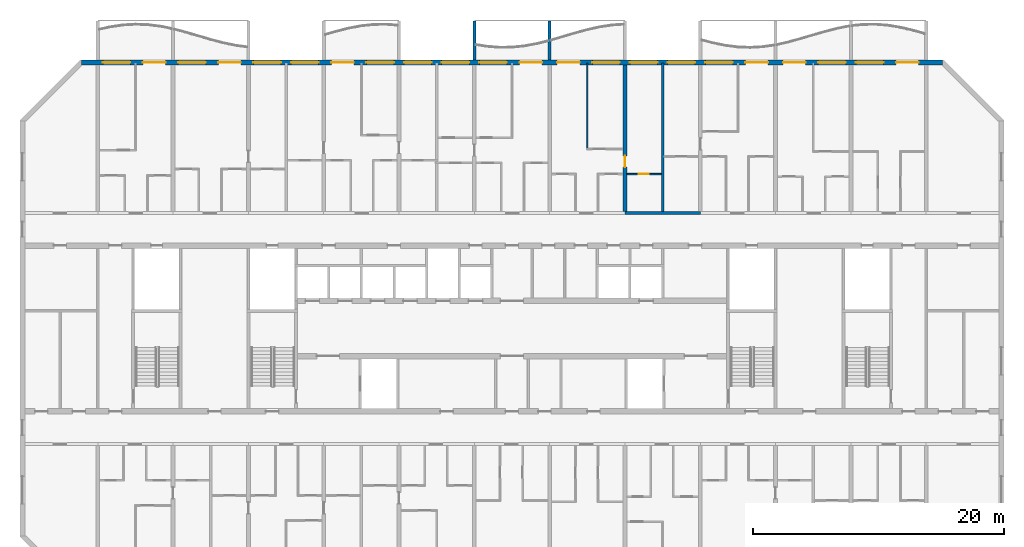
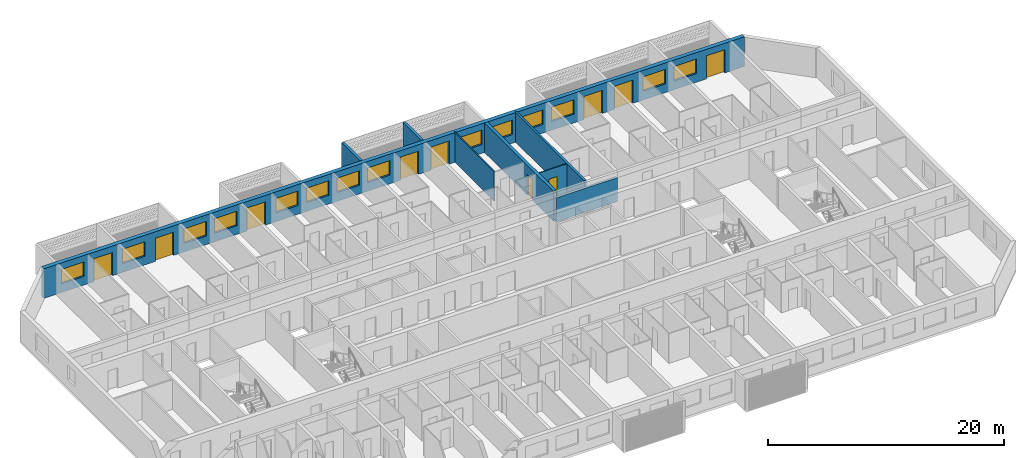
# One storey, part 10 of 31: 14 windows, 10 doors, 8 walls, 24 openings.
"""IFC4 building model written with IfcOpenShell, lengths in metres."""

from ifc_helpers import new_model, si_unit, direction, frame, frame_2d, origin, place, context, subcontext, project, spatial, polyline, rectangle, outline, extrude, source, transform, mapped, material, layer, layer_set, type_object, element, fill, save


model = new_model("IFC4")

# Units and contexts
model_context = context("Model", 3, precision=1e-05, world=origin(), true_north=direction((0.0, 1.0)))
body_context = subcontext(model_context, "Body", "Model", "MODEL_VIEW")
ifc_project = project(units=[si_unit("LENGTHUNIT", "METRE"), si_unit("AREAUNIT", "SQUARE_METRE"), si_unit("VOLUMEUNIT", "CUBIC_METRE"), si_unit("PLANEANGLEUNIT", "RADIAN"), si_unit("MASSUNIT", "GRAM", prefix="KILO")], contexts=[model_context])

# Site, building, storey
site_placement = place(None, origin())
site = spatial("IfcSite", under=ifc_project, at=site_placement, CompositionType="ELEMENT")
building_placement = place(site_placement, origin())
building = spatial("IfcBuilding", under=site, at=building_placement, Name="Poui Terraces", CompositionType="ELEMENT")
storey_placement = place(building_placement, frame((0.0, 0.0, 142.199951171875)))
storey = spatial("IfcBuildingStorey", under=building, at=storey_placement, Name="L39", CompositionType="ELEMENT", Elevation=142.199951171875)

# Wall
ifc_material_1 = material(Name="Concrete 65 MPa", Category="concrete")
ifc_layer_1 = layer(ifc_material_1, 0.25)
ifc_layer_set_1 = layer_set([ifc_layer_1], Name="Concrete 65 MPa")
wall_type_1 = type_object("IfcWallType", Name="CORRIDOR WALL 250 65MPa", PredefinedType="SHEAR", material=ifc_layer_set_1)
wall_1_placement = place(storey_placement, frame((60.0, 30.39990234375, 0.0), z_axis=(0.0, 0.0, 1.0), x_axis=(1.0, 0.0, 0.0)))
element("IfcWall", 1, at=wall_1_placement, inside=storey, type_object=wall_type_1, Name="CORRIDOR WALL LINE E BAY 9", PredefinedType="SHEAR", context=body_context, shape_type="SweptSolid", body=[
    extrude(rectangle(XDim=6.0, YDim=0.25, at=frame_2d((3.0, 0.0))), origin(), (0.0, 0.0, 1.0), 2.469970703125),
])

# Wall, opening, door
ifc_layer_2 = layer(ifc_material_1, 0.300048828125)
ifc_layer_set_2 = layer_set([ifc_layer_2], Name="Concrete 65 MPa")
wall_type_2 = type_object("IfcWallType", Name="CROSS WALL 300 65MPa", PredefinedType="SHEAR", material=ifc_layer_set_2)
wall_2_placement = place(storey_placement, frame((60.0, 30.52490234375, 0.0), z_axis=(0.0, 0.0, 1.0), x_axis=(0.0, 1.0, 0.0)))
wall_2 = element("IfcWall", 2, at=wall_2_placement, inside=storey, type_object=wall_type_2, Name="CROSS WALL LINE 11 NORTH", PredefinedType="SHEAR", context=body_context, shape_type="SweptSolid", body=[
    extrude(rectangle(XDim=11.675048828125, YDim=0.300048828125, at=frame_2d((5.83740234375, 0.0))), origin(), (0.0, 0.0, 1.0), 3.070068359375),
])
opening_1_placement = place(wall_2_placement, frame((3.52490234375, 0.0, 0.0)))
opening_1 = element("IfcOpeningElement", 3, at=opening_1_placement, cuts=wall_2, Name="Opening D90", PredefinedType="OPENING", context=body_context, shape_type="SweptSolid", body=[
    extrude(rectangle(XDim=0.89990234375, YDim=2.10009765625, at=frame_2d((0.449951171875, 1.050048828125))), frame((0.0, 0.16015625, 0.0), z_axis=(0.0, -1.0, 0.0), x_axis=(1.0, 0.0, 0.0)), (0.0, 0.0, 1.0), 0.320068359375),
])
ifc_material_2 = material(Name="Solid core timber door", Category="wood")
door_type_1 = type_object("IfcDoorType", Name="INTERNAL DOOR 900 X 2100", OperationType="NOTDEFINED", PredefinedType="DOOR", material=ifc_material_2)
door_1_placement = place(opening_1_placement, frame((0.89990234375, 0.0, 0.0), z_axis=(0.0, 0.0, 1.0), x_axis=(-1.0, 0.0, 0.0)))
door_1 = element("IfcDoor", 4, at=door_1_placement, inside=storey, type_object=door_type_1, Name="INTERNAL DOOR 062", OperationType="SINGLE_SWING_RIGHT", OverallHeight=2.10009765625, OverallWidth=0.89990234375, PredefinedType="DOOR", context=body_context, shape_type="SweptSolid", body=[
    extrude(rectangle(XDim=0.89990234375, YDim=2.10009765625, at=frame_2d((0.449951171875, 1.050048828125))), frame((0.0, 0.02490234375, 0.0), z_axis=(0.0, -1.0, 0.0), x_axis=(1.0, 0.0, 0.0)), (0.0, 0.0, 1.0), 0.050048828125),
])
fill(opening_1, door_1)

# Wall, openings, doors, windows
ifc_material_3 = material(Name="Precast concrete 40 MPa", Category="concrete")
ifc_layer_3 = layer(ifc_material_3, 0.39990234375)
ifc_layer_set_3 = layer_set([ifc_layer_3], Name="Precast concrete 40 MPa")
wall_type_3 = type_object("IfcWallType", Name="EXTERNAL WALL 400", PredefinedType="STANDARD", material=ifc_layer_set_3)
wall_3_placement = place(storey_placement, frame((85.317138671875, 42.39990234375, 0.0), z_axis=(0.0, 0.0, 1.0), x_axis=(-1.0, 0.0, 0.0)))
wall_3 = element("IfcWall", 5, at=wall_3_placement, inside=storey, type_object=wall_type_3, Name="EXTERNAL WALL N", PredefinedType="STANDARD", context=body_context, shape_type="SweptSolid", body=[
    extrude(rectangle(XDim=68.63427734375, YDim=0.39990234375, at=frame_2d((34.317138671875, 0.0))), origin(), (0.0, 0.0, 1.0), 3.070068359375),
])
opening_2_placement = place(wall_3_placement, frame((64.71728515625, 0.0, 0.89990234375)))
opening_2 = element("IfcOpeningElement", 6, at=opening_2_placement, cuts=wall_3, Name="Opening W1", PredefinedType="OPENING", context=body_context, shape_type="SweptSolid", body=[
    extrude(rectangle(XDim=2.199951171875, YDim=1.5, at=frame_2d((1.10009765625, 0.75))), frame((0.0, 0.2099609375, 0.0), z_axis=(0.0, -1.0, 0.0), x_axis=(1.0, 0.0, 0.0)), (0.0, 0.0, 1.0), 0.419921875),
])
opening_3_placement = place(wall_3_placement, frame((61.917236328125, 0.0, 0.0)))
opening_3 = element("IfcOpeningElement", 7, at=opening_3_placement, cuts=wall_3, Name="Opening BD1", PredefinedType="OPENING", context=body_context, shape_type="SweptSolid", body=[
    extrude(rectangle(XDim=1.800048828125, YDim=2.39990234375, at=frame_2d((0.89990234375, 1.199951171875))), frame((0.0, 0.2099609375, 0.0), z_axis=(0.0, -1.0, 0.0), x_axis=(1.0, 0.0, 0.0)), (0.0, 0.0, 1.0), 0.419921875),
])
opening_4_placement = place(wall_3_placement, frame((58.71728515625, 0.0, 0.89990234375)))
opening_4 = element("IfcOpeningElement", 8, at=opening_4_placement, cuts=wall_3, Name="Opening W1", PredefinedType="OPENING", context=body_context, shape_type="SweptSolid", body=[
    extrude(rectangle(XDim=2.199951171875, YDim=1.5, at=frame_2d((1.10009765625, 0.75))), frame((0.0, 0.2099609375, 0.0), z_axis=(0.0, -1.0, 0.0), x_axis=(1.0, 0.0, 0.0)), (0.0, 0.0, 1.0), 0.419921875),
])
opening_5_placement = place(wall_3_placement, frame((55.917236328125, 0.0, 0.0)))
opening_5 = element("IfcOpeningElement", 9, at=opening_5_placement, cuts=wall_3, Name="Opening BD1", PredefinedType="OPENING", context=body_context, shape_type="SweptSolid", body=[
    extrude(rectangle(XDim=1.800048828125, YDim=2.39990234375, at=frame_2d((0.89990234375, 1.199951171875))), frame((0.0, 0.2099609375, 0.0), z_axis=(0.0, -1.0, 0.0), x_axis=(1.0, 0.0, 0.0)), (0.0, 0.0, 1.0), 0.419921875),
])
opening_6_placement = place(wall_3_placement, frame((52.71728515625, 0.0, 0.89990234375)))
opening_6 = element("IfcOpeningElement", 10, at=opening_6_placement, cuts=wall_3, Name="Opening W1", PredefinedType="OPENING", context=body_context, shape_type="SweptSolid", body=[
    extrude(rectangle(XDim=2.199951171875, YDim=1.5, at=frame_2d((1.10009765625, 0.75))), frame((0.0, 0.2099609375, 0.0), z_axis=(0.0, -1.0, 0.0), x_axis=(1.0, 0.0, 0.0)), (0.0, 0.0, 1.0), 0.419921875),
])
opening_7_placement = place(wall_3_placement, frame((49.71728515625, 0.0, 0.89990234375)))
opening_7 = element("IfcOpeningElement", 11, at=opening_7_placement, cuts=wall_3, Name="Opening W1", PredefinedType="OPENING", context=body_context, shape_type="SweptSolid", body=[
    extrude(rectangle(XDim=2.199951171875, YDim=1.5, at=frame_2d((1.10009765625, 0.75))), frame((0.0, 0.2099609375, 0.0), z_axis=(0.0, -1.0, 0.0), x_axis=(1.0, 0.0, 0.0)), (0.0, 0.0, 1.0), 0.419921875),
])
opening_8_placement = place(wall_3_placement, frame((46.917236328125, 0.0, 0.0)))
opening_8 = element("IfcOpeningElement", 12, at=opening_8_placement, cuts=wall_3, Name="Opening BD1", PredefinedType="OPENING", context=body_context, shape_type="SweptSolid", body=[
    extrude(rectangle(XDim=1.800048828125, YDim=2.39990234375, at=frame_2d((0.89990234375, 1.199951171875))), frame((0.0, 0.2099609375, 0.0), z_axis=(0.0, -1.0, 0.0), x_axis=(1.0, 0.0, 0.0)), (0.0, 0.0, 1.0), 0.419921875),
])
opening_9_placement = place(wall_3_placement, frame((43.71728515625, 0.0, 0.89990234375)))
opening_9 = element("IfcOpeningElement", 13, at=opening_9_placement, cuts=wall_3, Name="Opening W1", PredefinedType="OPENING", context=body_context, shape_type="SweptSolid", body=[
    extrude(rectangle(XDim=2.199951171875, YDim=1.5, at=frame_2d((1.10009765625, 0.75))), frame((0.0, 0.2099609375, 0.0), z_axis=(0.0, -1.0, 0.0), x_axis=(1.0, 0.0, 0.0)), (0.0, 0.0, 1.0), 0.419921875),
])
opening_10_placement = place(wall_3_placement, frame((40.71728515625, 0.0, 0.89990234375)))
opening_10 = element("IfcOpeningElement", 14, at=opening_10_placement, cuts=wall_3, Name="Opening W1", PredefinedType="OPENING", context=body_context, shape_type="SweptSolid", body=[
    extrude(rectangle(XDim=2.199951171875, YDim=1.5, at=frame_2d((1.10009765625, 0.75))), frame((0.0, 0.2099609375, 0.0), z_axis=(0.0, -1.0, 0.0), x_axis=(1.0, 0.0, 0.0)), (0.0, 0.0, 1.0), 0.419921875),
])
opening_11_placement = place(wall_3_placement, frame((37.71728515625, 0.0, 0.89990234375)))
opening_11 = element("IfcOpeningElement", 15, at=opening_11_placement, cuts=wall_3, Name="Opening W1", PredefinedType="OPENING", context=body_context, shape_type="SweptSolid", body=[
    extrude(rectangle(XDim=2.199951171875, YDim=1.5, at=frame_2d((1.10009765625, 0.75))), frame((0.0, 0.2099609375, 0.0), z_axis=(0.0, -1.0, 0.0), x_axis=(1.0, 0.0, 0.0)), (0.0, 0.0, 1.0), 0.419921875),
])
opening_12_placement = place(wall_3_placement, frame((34.71728515625, 0.0, 0.89990234375)))
opening_12 = element("IfcOpeningElement", 16, at=opening_12_placement, cuts=wall_3, Name="Opening W1", PredefinedType="OPENING", context=body_context, shape_type="SweptSolid", body=[
    extrude(rectangle(XDim=2.199951171875, YDim=1.5, at=frame_2d((1.10009765625, 0.75))), frame((0.0, 0.2099609375, 0.0), z_axis=(0.0, -1.0, 0.0), x_axis=(1.0, 0.0, 0.0)), (0.0, 0.0, 1.0), 0.419921875),
])
opening_13_placement = place(wall_3_placement, frame((31.917236328125, 0.0, 0.0)))
opening_13 = element("IfcOpeningElement", 17, at=opening_13_placement, cuts=wall_3, Name="Opening BD1", PredefinedType="OPENING", context=body_context, shape_type="SweptSolid", body=[
    extrude(rectangle(XDim=1.800048828125, YDim=2.39990234375, at=frame_2d((0.89990234375, 1.199951171875))), frame((0.0, 0.2099609375, 0.0), z_axis=(0.0, -1.0, 0.0), x_axis=(1.0, 0.0, 0.0)), (0.0, 0.0, 1.0), 0.419921875),
])
opening_14_placement = place(wall_3_placement, frame((28.917236328125, 0.0, 0.0)))
opening_14 = element("IfcOpeningElement", 18, at=opening_14_placement, cuts=wall_3, Name="Opening BD1", PredefinedType="OPENING", context=body_context, shape_type="SweptSolid", body=[
    extrude(rectangle(XDim=1.800048828125, YDim=2.39990234375, at=frame_2d((0.89990234375, 1.199951171875))), frame((0.0, 0.2099609375, 0.0), z_axis=(0.0, -1.0, 0.0), x_axis=(1.0, 0.0, 0.0)), (0.0, 0.0, 1.0), 0.419921875),
])
opening_15_placement = place(wall_3_placement, frame((25.71728515625, 0.0, 0.89990234375)))
opening_15 = element("IfcOpeningElement", 19, at=opening_15_placement, cuts=wall_3, Name="Opening W1", PredefinedType="OPENING", context=body_context, shape_type="SweptSolid", body=[
    extrude(rectangle(XDim=2.199951171875, YDim=1.5, at=frame_2d((1.10009765625, 0.75))), frame((0.0, 0.2099609375, 0.0), z_axis=(0.0, -1.0, 0.0), x_axis=(1.0, 0.0, 0.0)), (0.0, 0.0, 1.0), 0.419921875),
])
opening_16_placement = place(wall_3_placement, frame((22.71728515625, 0.0, 0.89990234375)))
opening_16 = element("IfcOpeningElement", 20, at=opening_16_placement, cuts=wall_3, Name="Opening W1", PredefinedType="OPENING", context=body_context, shape_type="SweptSolid", body=[
    extrude(rectangle(XDim=2.199951171875, YDim=1.5, at=frame_2d((1.10009765625, 0.75))), frame((0.0, 0.2099609375, 0.0), z_axis=(0.0, -1.0, 0.0), x_axis=(1.0, 0.0, 0.0)), (0.0, 0.0, 1.0), 0.419921875),
])
opening_17_placement = place(wall_3_placement, frame((19.71728515625, 0.0, 0.89990234375)))
opening_17 = element("IfcOpeningElement", 21, at=opening_17_placement, cuts=wall_3, Name="Opening W1", PredefinedType="OPENING", context=body_context, shape_type="SweptSolid", body=[
    extrude(rectangle(XDim=2.199951171875, YDim=1.5, at=frame_2d((1.10009765625, 0.75))), frame((0.0, 0.2099609375, 0.0), z_axis=(0.0, -1.0, 0.0), x_axis=(1.0, 0.0, 0.0)), (0.0, 0.0, 1.0), 0.419921875),
])
opening_18_placement = place(wall_3_placement, frame((16.71728515625, 0.0, 0.89990234375)))
opening_18 = element("IfcOpeningElement", 22, at=opening_18_placement, cuts=wall_3, Name="Opening W1", PredefinedType="OPENING", context=body_context, shape_type="SweptSolid", body=[
    extrude(rectangle(XDim=2.199951171875, YDim=1.5, at=frame_2d((1.10009765625, 0.75))), frame((0.0, 0.2099609375, 0.0), z_axis=(0.0, -1.0, 0.0), x_axis=(1.0, 0.0, 0.0)), (0.0, 0.0, 1.0), 0.419921875),
])
opening_19_placement = place(wall_3_placement, frame((13.917236328125, 0.0, 0.0)))
opening_19 = element("IfcOpeningElement", 23, at=opening_19_placement, cuts=wall_3, Name="Opening BD1", PredefinedType="OPENING", context=body_context, shape_type="SweptSolid", body=[
    extrude(rectangle(XDim=1.800048828125, YDim=2.39990234375, at=frame_2d((0.89990234375, 1.199951171875))), frame((0.0, 0.2099609375, 0.0), z_axis=(0.0, -1.0, 0.0), x_axis=(1.0, 0.0, 0.0)), (0.0, 0.0, 1.0), 0.419921875),
])
opening_20_placement = place(wall_3_placement, frame((10.917236328125, 0.0, 0.0)))
opening_20 = element("IfcOpeningElement", 24, at=opening_20_placement, cuts=wall_3, Name="Opening BD1", PredefinedType="OPENING", context=body_context, shape_type="SweptSolid", body=[
    extrude(rectangle(XDim=1.800048828125, YDim=2.39990234375, at=frame_2d((0.89990234375, 1.199951171875))), frame((0.0, 0.2099609375, 0.0), z_axis=(0.0, -1.0, 0.0), x_axis=(1.0, 0.0, 0.0)), (0.0, 0.0, 1.0), 0.419921875),
])
opening_21_placement = place(wall_3_placement, frame((7.71728515625, 0.0, 0.89990234375)))
opening_21 = element("IfcOpeningElement", 25, at=opening_21_placement, cuts=wall_3, Name="Opening W1", PredefinedType="OPENING", context=body_context, shape_type="SweptSolid", body=[
    extrude(rectangle(XDim=2.199951171875, YDim=1.5, at=frame_2d((1.10009765625, 0.75))), frame((0.0, 0.2099609375, 0.0), z_axis=(0.0, -1.0, 0.0), x_axis=(1.0, 0.0, 0.0)), (0.0, 0.0, 1.0), 0.419921875),
])
opening_22_placement = place(wall_3_placement, frame((4.71728515625, 0.0, 0.89990234375)))
opening_22 = element("IfcOpeningElement", 26, at=opening_22_placement, cuts=wall_3, Name="Opening W1", PredefinedType="OPENING", context=body_context, shape_type="SweptSolid", body=[
    extrude(rectangle(XDim=2.199951171875, YDim=1.5, at=frame_2d((1.10009765625, 0.75))), frame((0.0, 0.2099609375, 0.0), z_axis=(0.0, -1.0, 0.0), x_axis=(1.0, 0.0, 0.0)), (0.0, 0.0, 1.0), 0.419921875),
])
opening_23_placement = place(wall_3_placement, frame((1.917236328125, 0.0, 0.0)))
opening_23 = element("IfcOpeningElement", 27, at=opening_23_placement, cuts=wall_3, Name="Opening BD1", PredefinedType="OPENING", context=body_context, shape_type="SweptSolid", body=[
    extrude(rectangle(XDim=1.800048828125, YDim=2.39990234375, at=frame_2d((0.89990234375, 1.199951171875))), frame((0.0, 0.2099609375, 0.0), z_axis=(0.0, -1.0, 0.0), x_axis=(1.0, 0.0, 0.0)), (0.0, 0.0, 1.0), 0.419921875),
])
ifc_material_4 = material(Name="Clear glass in aluminium frame", Category="aluminium")
door_type_2 = type_object("IfcDoorType", Name="BALCONY DOOR 1800X2400", OperationType="DOUBLE_DOOR_SLIDING", PredefinedType="DOOR", material=ifc_material_4)
door_2_placement = place(opening_3_placement, origin())
door_2 = element("IfcDoor", 28, at=door_2_placement, inside=storey, type_object=door_type_2, Name="BD1 BALCONY DOOR", OperationType="DOUBLE_DOOR_SLIDING", OverallHeight=2.39990234375, OverallWidth=1.800048828125, PredefinedType="DOOR", context=body_context, shape_type="SweptSolid", body=[
    extrude(rectangle(XDim=1.800048828125, YDim=2.39990234375, at=frame_2d((0.89990234375, 1.199951171875))), frame((0.0, 0.02490234375, 0.0), z_axis=(0.0, -1.0, 0.0), x_axis=(1.0, 0.0, 0.0)), (0.0, 0.0, 1.0), 0.050048828125),
])
fill(opening_3, door_2)
door_3_placement = place(opening_5_placement, origin())
door_3 = element("IfcDoor", 29, at=door_3_placement, inside=storey, type_object=door_type_2, Name="BD1 BALCONY DOOR", OperationType="DOUBLE_DOOR_SLIDING", OverallHeight=2.39990234375, OverallWidth=1.800048828125, PredefinedType="DOOR", context=body_context, shape_type="SweptSolid", body=[
    extrude(rectangle(XDim=1.800048828125, YDim=2.39990234375, at=frame_2d((0.89990234375, 1.199951171875))), frame((0.0, 0.02490234375, 0.0), z_axis=(0.0, -1.0, 0.0), x_axis=(1.0, 0.0, 0.0)), (0.0, 0.0, 1.0), 0.050048828125),
])
fill(opening_5, door_3)
door_4_placement = place(opening_8_placement, origin())
door_4 = element("IfcDoor", 30, at=door_4_placement, inside=storey, type_object=door_type_2, Name="BD1 BALCONY DOOR", OperationType="DOUBLE_DOOR_SLIDING", OverallHeight=2.39990234375, OverallWidth=1.800048828125, PredefinedType="DOOR", context=body_context, shape_type="SweptSolid", body=[
    extrude(rectangle(XDim=1.800048828125, YDim=2.39990234375, at=frame_2d((0.89990234375, 1.199951171875))), frame((0.0, 0.02490234375, 0.0), z_axis=(0.0, -1.0, 0.0), x_axis=(1.0, 0.0, 0.0)), (0.0, 0.0, 1.0), 0.050048828125),
])
fill(opening_8, door_4)
door_5_placement = place(opening_13_placement, origin())
door_5 = element("IfcDoor", 31, at=door_5_placement, inside=storey, type_object=door_type_2, Name="BD1 BALCONY DOOR", OperationType="DOUBLE_DOOR_SLIDING", OverallHeight=2.39990234375, OverallWidth=1.800048828125, PredefinedType="DOOR", context=body_context, shape_type="SweptSolid", body=[
    extrude(rectangle(XDim=1.800048828125, YDim=2.39990234375, at=frame_2d((0.89990234375, 1.199951171875))), frame((0.0, 0.02490234375, 0.0), z_axis=(0.0, -1.0, 0.0), x_axis=(1.0, 0.0, 0.0)), (0.0, 0.0, 1.0), 0.050048828125),
])
fill(opening_13, door_5)
door_6_placement = place(opening_14_placement, origin())
door_6 = element("IfcDoor", 32, at=door_6_placement, inside=storey, type_object=door_type_2, Name="BD1 BALCONY DOOR", OperationType="DOUBLE_DOOR_SLIDING", OverallHeight=2.39990234375, OverallWidth=1.800048828125, PredefinedType="DOOR", context=body_context, shape_type="SweptSolid", body=[
    extrude(rectangle(XDim=1.800048828125, YDim=2.39990234375, at=frame_2d((0.89990234375, 1.199951171875))), frame((0.0, 0.02490234375, 0.0), z_axis=(0.0, -1.0, 0.0), x_axis=(1.0, 0.0, 0.0)), (0.0, 0.0, 1.0), 0.050048828125),
])
fill(opening_14, door_6)
door_7_placement = place(opening_19_placement, origin())
door_7 = element("IfcDoor", 33, at=door_7_placement, inside=storey, type_object=door_type_2, Name="BD1 BALCONY DOOR", OperationType="DOUBLE_DOOR_SLIDING", OverallHeight=2.39990234375, OverallWidth=1.800048828125, PredefinedType="DOOR", context=body_context, shape_type="SweptSolid", body=[
    extrude(rectangle(XDim=1.800048828125, YDim=2.39990234375, at=frame_2d((0.89990234375, 1.199951171875))), frame((0.0, 0.02490234375, 0.0), z_axis=(0.0, -1.0, 0.0), x_axis=(1.0, 0.0, 0.0)), (0.0, 0.0, 1.0), 0.050048828125),
])
fill(opening_19, door_7)
door_8_placement = place(opening_20_placement, origin())
door_8 = element("IfcDoor", 34, at=door_8_placement, inside=storey, type_object=door_type_2, Name="BD1 BALCONY DOOR", OperationType="DOUBLE_DOOR_SLIDING", OverallHeight=2.39990234375, OverallWidth=1.800048828125, PredefinedType="DOOR", context=body_context, shape_type="SweptSolid", body=[
    extrude(rectangle(XDim=1.800048828125, YDim=2.39990234375, at=frame_2d((0.89990234375, 1.199951171875))), frame((0.0, 0.02490234375, 0.0), z_axis=(0.0, -1.0, 0.0), x_axis=(1.0, 0.0, 0.0)), (0.0, 0.0, 1.0), 0.050048828125),
])
fill(opening_20, door_8)
door_9_placement = place(opening_23_placement, origin())
door_9 = element("IfcDoor", 35, at=door_9_placement, inside=storey, type_object=door_type_2, Name="BD1 BALCONY DOOR", OperationType="DOUBLE_DOOR_SLIDING", OverallHeight=2.39990234375, OverallWidth=1.800048828125, PredefinedType="DOOR", context=body_context, shape_type="SweptSolid", body=[
    extrude(rectangle(XDim=1.800048828125, YDim=2.39990234375, at=frame_2d((0.89990234375, 1.199951171875))), frame((0.0, 0.02490234375, 0.0), z_axis=(0.0, -1.0, 0.0), x_axis=(1.0, 0.0, 0.0)), (0.0, 0.0, 1.0), 0.050048828125),
])
fill(opening_23, door_9)
window_type = type_object("IfcWindowType", Name="WINDOW 2200X1500", PartitioningType="DOUBLE_PANEL_HORIZONTAL", PredefinedType="WINDOW", material=ifc_material_4)
window_1_placement = place(opening_2_placement, origin())
window_1 = element("IfcWindow", 36, at=window_1_placement, inside=storey, type_object=window_type, Name="W1 WINDOW", OverallHeight=1.5, OverallWidth=2.199951171875, PartitioningType="DOUBLE_PANEL_HORIZONTAL", PredefinedType="WINDOW", context=body_context, shape_type="SweptSolid", body=[
    extrude(rectangle(XDim=2.199951171875, YDim=1.5, at=frame_2d((1.10009765625, 0.75))), frame((0.0, 0.030029296875, 0.0), z_axis=(0.0, -1.0, 0.0), x_axis=(1.0, 0.0, 0.0)), (0.0, 0.0, 1.0), 0.06005859375),
])
fill(opening_2, window_1)
window_2_placement = place(opening_4_placement, origin())
window_2 = element("IfcWindow", 37, at=window_2_placement, inside=storey, type_object=window_type, Name="W1 WINDOW", OverallHeight=1.5, OverallWidth=2.199951171875, PartitioningType="DOUBLE_PANEL_HORIZONTAL", PredefinedType="WINDOW", context=body_context, shape_type="SweptSolid", body=[
    extrude(rectangle(XDim=2.199951171875, YDim=1.5, at=frame_2d((1.10009765625, 0.75))), frame((0.0, 0.030029296875, 0.0), z_axis=(0.0, -1.0, 0.0), x_axis=(1.0, 0.0, 0.0)), (0.0, 0.0, 1.0), 0.06005859375),
])
fill(opening_4, window_2)
window_3_placement = place(opening_6_placement, origin())
window_3 = element("IfcWindow", 38, at=window_3_placement, inside=storey, type_object=window_type, Name="W1 WINDOW", OverallHeight=1.5, OverallWidth=2.199951171875, PartitioningType="DOUBLE_PANEL_HORIZONTAL", PredefinedType="WINDOW", context=body_context, shape_type="SweptSolid", body=[
    extrude(rectangle(XDim=2.199951171875, YDim=1.5, at=frame_2d((1.10009765625, 0.75))), frame((0.0, 0.030029296875, 0.0), z_axis=(0.0, -1.0, 0.0), x_axis=(1.0, 0.0, 0.0)), (0.0, 0.0, 1.0), 0.06005859375),
])
fill(opening_6, window_3)
window_4_placement = place(opening_7_placement, origin())
window_4 = element("IfcWindow", 39, at=window_4_placement, inside=storey, type_object=window_type, Name="W1 WINDOW", OverallHeight=1.5, OverallWidth=2.199951171875, PartitioningType="DOUBLE_PANEL_HORIZONTAL", PredefinedType="WINDOW", context=body_context, shape_type="SweptSolid", body=[
    extrude(rectangle(XDim=2.199951171875, YDim=1.5, at=frame_2d((1.10009765625, 0.75))), frame((0.0, 0.030029296875, 0.0), z_axis=(0.0, -1.0, 0.0), x_axis=(1.0, 0.0, 0.0)), (0.0, 0.0, 1.0), 0.06005859375),
])
fill(opening_7, window_4)
window_5_placement = place(opening_9_placement, origin())
window_5 = element("IfcWindow", 40, at=window_5_placement, inside=storey, type_object=window_type, Name="W1 WINDOW", OverallHeight=1.5, OverallWidth=2.199951171875, PartitioningType="DOUBLE_PANEL_HORIZONTAL", PredefinedType="WINDOW", context=body_context, shape_type="SweptSolid", body=[
    extrude(rectangle(XDim=2.199951171875, YDim=1.5, at=frame_2d((1.10009765625, 0.75))), frame((0.0, 0.030029296875, 0.0), z_axis=(0.0, -1.0, 0.0), x_axis=(1.0, 0.0, 0.0)), (0.0, 0.0, 1.0), 0.06005859375),
])
fill(opening_9, window_5)
window_6_placement = place(opening_10_placement, origin())
window_6 = element("IfcWindow", 41, at=window_6_placement, inside=storey, type_object=window_type, Name="W1 WINDOW", OverallHeight=1.5, OverallWidth=2.199951171875, PartitioningType="DOUBLE_PANEL_HORIZONTAL", PredefinedType="WINDOW", context=body_context, shape_type="SweptSolid", body=[
    extrude(rectangle(XDim=2.199951171875, YDim=1.5, at=frame_2d((1.10009765625, 0.75))), frame((0.0, 0.030029296875, 0.0), z_axis=(0.0, -1.0, 0.0), x_axis=(1.0, 0.0, 0.0)), (0.0, 0.0, 1.0), 0.06005859375),
])
fill(opening_10, window_6)
window_7_placement = place(opening_11_placement, origin())
window_7 = element("IfcWindow", 42, at=window_7_placement, inside=storey, type_object=window_type, Name="W1 WINDOW", OverallHeight=1.5, OverallWidth=2.199951171875, PartitioningType="DOUBLE_PANEL_HORIZONTAL", PredefinedType="WINDOW", context=body_context, shape_type="SweptSolid", body=[
    extrude(rectangle(XDim=2.199951171875, YDim=1.5, at=frame_2d((1.10009765625, 0.75))), frame((0.0, 0.030029296875, 0.0), z_axis=(0.0, -1.0, 0.0), x_axis=(1.0, 0.0, 0.0)), (0.0, 0.0, 1.0), 0.06005859375),
])
fill(opening_11, window_7)
window_8_placement = place(opening_12_placement, origin())
window_8 = element("IfcWindow", 43, at=window_8_placement, inside=storey, type_object=window_type, Name="W1 WINDOW", OverallHeight=1.5, OverallWidth=2.199951171875, PartitioningType="DOUBLE_PANEL_HORIZONTAL", PredefinedType="WINDOW", context=body_context, shape_type="SweptSolid", body=[
    extrude(rectangle(XDim=2.199951171875, YDim=1.5, at=frame_2d((1.10009765625, 0.75))), frame((0.0, 0.030029296875, 0.0), z_axis=(0.0, -1.0, 0.0), x_axis=(1.0, 0.0, 0.0)), (0.0, 0.0, 1.0), 0.06005859375),
])
fill(opening_12, window_8)
window_9_placement = place(opening_15_placement, origin())
window_9 = element("IfcWindow", 44, at=window_9_placement, inside=storey, type_object=window_type, Name="W1 WINDOW", OverallHeight=1.5, OverallWidth=2.199951171875, PartitioningType="DOUBLE_PANEL_HORIZONTAL", PredefinedType="WINDOW", context=body_context, shape_type="SweptSolid", body=[
    extrude(rectangle(XDim=2.199951171875, YDim=1.5, at=frame_2d((1.10009765625, 0.75))), frame((0.0, 0.030029296875, 0.0), z_axis=(0.0, -1.0, 0.0), x_axis=(1.0, 0.0, 0.0)), (0.0, 0.0, 1.0), 0.06005859375),
])
fill(opening_15, window_9)
window_10_placement = place(opening_16_placement, origin())
window_10 = element("IfcWindow", 45, at=window_10_placement, inside=storey, type_object=window_type, Name="W1 WINDOW", OverallHeight=1.5, OverallWidth=2.199951171875, PartitioningType="DOUBLE_PANEL_HORIZONTAL", PredefinedType="WINDOW", context=body_context, shape_type="SweptSolid", body=[
    extrude(rectangle(XDim=2.199951171875, YDim=1.5, at=frame_2d((1.10009765625, 0.75))), frame((0.0, 0.030029296875, 0.0), z_axis=(0.0, -1.0, 0.0), x_axis=(1.0, 0.0, 0.0)), (0.0, 0.0, 1.0), 0.06005859375),
])
fill(opening_16, window_10)
window_11_placement = place(opening_17_placement, origin())
window_11 = element("IfcWindow", 46, at=window_11_placement, inside=storey, type_object=window_type, Name="W1 WINDOW", OverallHeight=1.5, OverallWidth=2.199951171875, PartitioningType="DOUBLE_PANEL_HORIZONTAL", PredefinedType="WINDOW", context=body_context, shape_type="SweptSolid", body=[
    extrude(rectangle(XDim=2.199951171875, YDim=1.5, at=frame_2d((1.10009765625, 0.75))), frame((0.0, 0.030029296875, 0.0), z_axis=(0.0, -1.0, 0.0), x_axis=(1.0, 0.0, 0.0)), (0.0, 0.0, 1.0), 0.06005859375),
])
fill(opening_17, window_11)
window_12_placement = place(opening_18_placement, origin())
window_12 = element("IfcWindow", 47, at=window_12_placement, inside=storey, type_object=window_type, Name="W1 WINDOW", OverallHeight=1.5, OverallWidth=2.199951171875, PartitioningType="DOUBLE_PANEL_HORIZONTAL", PredefinedType="WINDOW", context=body_context, shape_type="SweptSolid", body=[
    extrude(rectangle(XDim=2.199951171875, YDim=1.5, at=frame_2d((1.10009765625, 0.75))), frame((0.0, 0.030029296875, 0.0), z_axis=(0.0, -1.0, 0.0), x_axis=(1.0, 0.0, 0.0)), (0.0, 0.0, 1.0), 0.06005859375),
])
fill(opening_18, window_12)
window_13_placement = place(opening_21_placement, origin())
window_13 = element("IfcWindow", 48, at=window_13_placement, inside=storey, type_object=window_type, Name="W1 WINDOW", OverallHeight=1.5, OverallWidth=2.199951171875, PartitioningType="DOUBLE_PANEL_HORIZONTAL", PredefinedType="WINDOW", context=body_context, shape_type="SweptSolid", body=[
    extrude(rectangle(XDim=2.199951171875, YDim=1.5, at=frame_2d((1.10009765625, 0.75))), frame((0.0, 0.030029296875, 0.0), z_axis=(0.0, -1.0, 0.0), x_axis=(1.0, 0.0, 0.0)), (0.0, 0.0, 1.0), 0.06005859375),
])
fill(opening_21, window_13)
window_14_placement = place(opening_22_placement, origin())
window_14 = element("IfcWindow", 49, at=window_14_placement, inside=storey, type_object=window_type, Name="W1 WINDOW", OverallHeight=1.5, OverallWidth=2.199951171875, PartitioningType="DOUBLE_PANEL_HORIZONTAL", PredefinedType="WINDOW", context=body_context, shape_type="SweptSolid", body=[
    extrude(rectangle(XDim=2.199951171875, YDim=1.5, at=frame_2d((1.10009765625, 0.75))), frame((0.0, 0.030029296875, 0.0), z_axis=(0.0, -1.0, 0.0), x_axis=(1.0, 0.0, 0.0)), (0.0, 0.0, 1.0), 0.06005859375),
])
fill(opening_22, window_14)

# Wall, opening, door
ifc_material_5 = material(Name="Plasterboard partition")
ifc_layer_4 = layer(ifc_material_5, 0.10009765625)
ifc_layer_set_4 = layer_set([ifc_layer_4], Name="Plasterboard partition")
wall_type_4 = type_object("IfcWallType", Name="FLAT PARTITION 100", PredefinedType="PARTITIONING", material=ifc_layer_set_4)
wall_4_placement = place(storey_placement, frame((60.159912109375, 33.5, 0.0), z_axis=(0.0, 0.0, 1.0), x_axis=(1.0, 0.0, 0.0)))
wall_4 = element("IfcWall", 50, at=wall_4_placement, inside=storey, type_object=wall_type_4, Name="FLAT PARTITION 100", PredefinedType="PARTITIONING", context=body_context, shape_type="SweptSolid", body=[
    extrude(rectangle(XDim=2.739990234375, YDim=0.10009765625, at=frame_2d((1.3701171875, 0.0))), origin(), (0.0, 0.0, 1.0), 3.070068359375),
])
opening_24_placement = place(wall_4_placement, frame((0.93994140625, 0.0, 0.0)))
opening_24 = element("IfcOpeningElement", 51, at=opening_24_placement, cuts=wall_4, Name="Opening D80", PredefinedType="OPENING", context=body_context, shape_type="SweptSolid", body=[
    extrude(rectangle(XDim=0.800048828125, YDim=2.10009765625, at=frame_2d((0.39990234375, 1.050048828125))), frame((0.0, 0.06005859375, 0.0), z_axis=(0.0, -1.0, 0.0), x_axis=(1.0, 0.0, 0.0)), (0.0, 0.0, 1.0), 0.1201171875),
])
door_type_3 = type_object("IfcDoorType", Name="BATHROOM, LAUNDRY AND STORE DOOR 800 X 2100", OperationType="NOTDEFINED", PredefinedType="DOOR", material=ifc_material_2)
door_10_placement = place(opening_24_placement, frame((0.800048828125, 0.0, 0.0), z_axis=(0.0, 0.0, 1.0), x_axis=(-1.0, 0.0, 0.0)))
door_10 = element("IfcDoor", 52, at=door_10_placement, inside=storey, type_object=door_type_3, Name="BATHROOM, LAUNDRY AND STORE DOOR 057", OperationType="SINGLE_SWING_LEFT", OverallHeight=2.10009765625, OverallWidth=0.800048828125, PredefinedType="DOOR", context=body_context, shape_type="SweptSolid", body=[
    extrude(rectangle(XDim=0.800048828125, YDim=2.10009765625, at=frame_2d((0.39990234375, 1.050048828125))), frame((0.0, 0.02490234375, 0.0), z_axis=(0.0, -1.0, 0.0), x_axis=(1.0, 0.0, 0.0)), (0.0, 0.0, 1.0), 0.050048828125),
])
fill(opening_24, door_10)

# Walls
wall_5_placement = place(storey_placement, frame((57.0, 35.550048828125, 0.0), z_axis=(0.0, 0.0, 1.0), x_axis=(0.0, 1.0, 0.0)))
element("IfcWall", 53, at=wall_5_placement, inside=storey, type_object=wall_type_4, Name="FLAT PARTITION 100", PredefinedType="PARTITIONING", context=body_context, shape_type="SweptSolid", body=[
    extrude(rectangle(XDim=6.7900390625, YDim=0.10009765625, at=frame_2d((3.39501953125, 0.0))), origin(), (0.0, 0.0, 1.0), 3.070068359375),
])
ifc_material_6 = material(Name="Fire-rated masonry wall", Category="masonry")
ifc_layer_5 = layer(ifc_material_6, 0.199951171875)
ifc_layer_set_5 = layer_set([ifc_layer_5], Name="Fire-rated masonry wall")
wall_type_5 = type_object("IfcWallType", Name="FLAT PARTY WALL 200", PredefinedType="PARTITIONING", material=ifc_layer_set_5)
wall_6_placement = place(storey_placement, frame((63.0, 30.534912109375, 0.0), z_axis=(0.0, 0.0, 1.0), x_axis=(0.0, 1.0, 0.0)))
element("IfcWall", 54, at=wall_6_placement, inside=storey, type_object=wall_type_5, Name="FLAT PARTY WALL 200", PredefinedType="PARTITIONING", context=body_context, shape_type="SweptSolid", body=[
    extrude(rectangle(XDim=11.80517578125, YDim=0.199951171875, at=frame_2d((5.902587890625, 0.0))), origin(), (0.0, 0.0, 1.0), 3.070068359375),
])
ifc_layer_6 = layer(ifc_material_3, 0.25)
ifc_layer_set_6 = layer_set([ifc_layer_6], Name="Precast concrete 40 MPa")
wall_type_6 = type_object("IfcWallType", Name="BALCONY FIN 250", PredefinedType="STANDARD", material=ifc_layer_set_6)
shared_shape = source(origin(), body_context, "Body", "SweptSolid", [
    extrude(outline(polyline([(0.0, 0.0), (0.25, 0.0), (0.25, 3.099853515625), (0.0, 3.099853515625), (0.0, 0.0)])), origin(), (0.0, 0.0, 1.0), 3.10009765625),
])
for number, where, name in (
    (55, (47.875, 42.60009765625, 0.0), "BALCONY FIN"),
    (56, (53.875, 42.60009765625, 0.0), "BALCONY FIN"),
):
    element("IfcWall", number, at=place(storey_placement, frame(where)), inside=storey, type_object=wall_type_6, Name=name, PredefinedType="STANDARD", context=body_context, shape_type="MappedRepresentation", body=[
        mapped(shared_shape, transform((0.0, 0.0, 0.0))),
    ])

save(model, "model.ifc")
